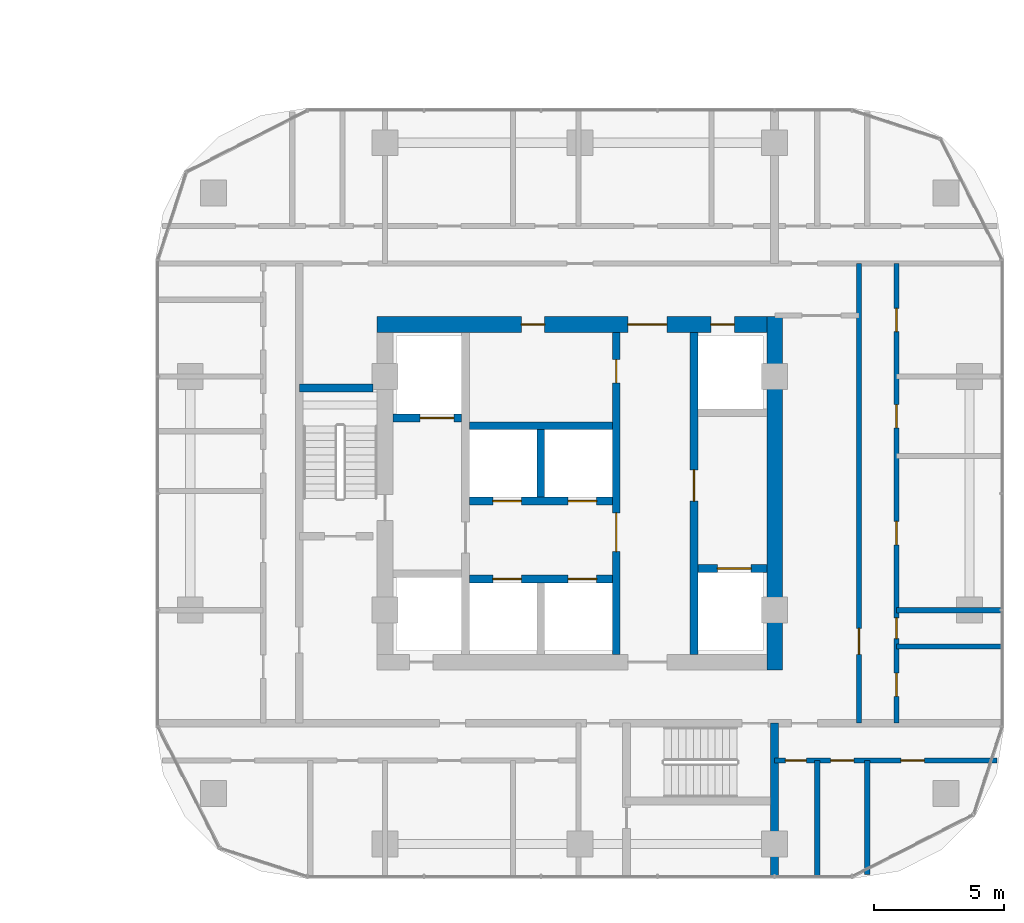
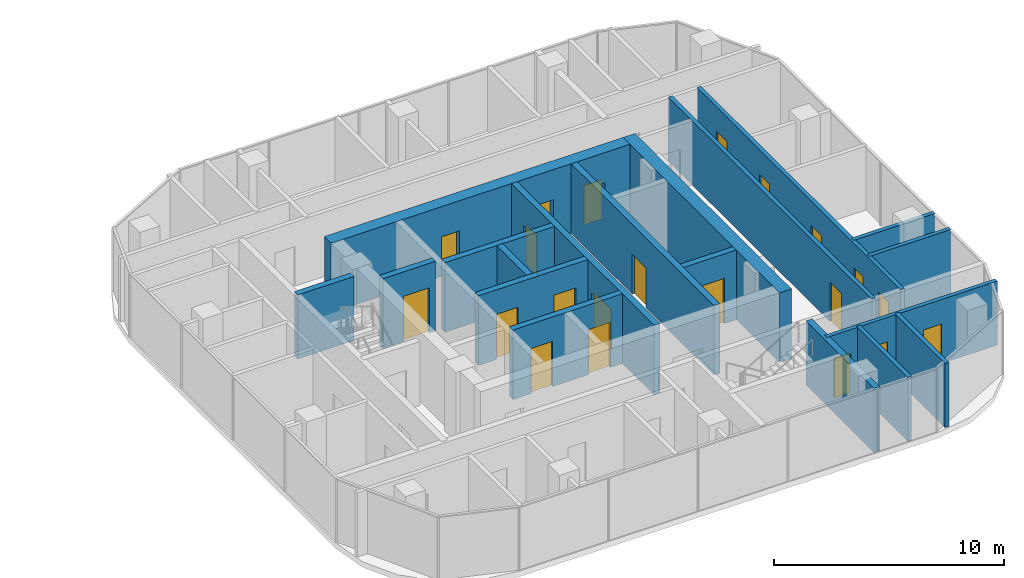
# One storey, part 25 of 36: 21 doors, 19 walls, 21 openings.
"""IFC4 building model written with IfcOpenShell, lengths in metres."""

import ifcopenshell
import ifcopenshell.guid

model = None  # the IFC model being written
_history = None  # IfcOwnerHistory: only IFC2X3 demands one
_inside = {}  # id of a spatial element -> (the spatial element, [elements in it])
_under = {}  # id of a project, library or spatial element -> (it, [spatial elements below it])
_declared = {}  # id of a project -> (the project, [libraries it declares])
_typed = {}  # id of a type object -> (the type object, [elements of that type])
_made_of = {}  # id of a material, layer set ... -> (it, [elements and type objects made of it])


def new_model(schema):
    """Start an empty IFC model of exactly this schema.

    Asked for "IFC4X3", IfcOpenShell would pick the latest addendum, in which some entities
    have other attributes; the version numbers below select the first issue.
    IFC2X3 requires an IfcOwnerHistory on every rooted entity: one is made here for all.
    """
    global model, _history
    if schema == "IFC4X3":
        model = ifcopenshell.file(schema_version=(4, 3, 0, 0))
    else:
        model = ifcopenshell.file(schema=schema)
    _inside.clear()
    _under.clear()
    _declared.clear()
    _typed.clear()
    _made_of.clear()
    _history = None
    if model.schema == "IFC2X3":
        org = make("IfcOrganization", Name="unknown")
        user = make(
            "IfcPersonAndOrganization",
            ThePerson=make("IfcPerson", FamilyName="unknown"),
            TheOrganization=org,
        )
        app = make(
            "IfcApplication",
            ApplicationDeveloper=org,
            Version="unknown",
            ApplicationFullName="unknown",
            ApplicationIdentifier="unknown",
        )
        _history = make(
            "IfcOwnerHistory",
            OwningUser=user,
            OwningApplication=app,
            ChangeAction="ADDED",
            CreationDate=0,
        )
    return model


def make(cls, **values):
    """One entity of the class cls with the attributes given. An attribute that is None is left unset."""
    return model.create_entity(
        cls, **{name: value for name, value in values.items() if value is not None}
    )


def rooted(cls, **values):
    """An entity with a GlobalId (a new one), such as an element, a storey or a relation."""
    return make(cls, GlobalId=ifcopenshell.guid.new(), OwnerHistory=_history, **values)


def si_unit(unit_type, name, prefix=None):
    """IfcSIUnit, for example si_unit("LENGTHUNIT", "METRE", prefix="MILLI")."""
    return make("IfcSIUnit", UnitType=unit_type, Prefix=prefix, Name=name)


def assignment(units):
    """IfcUnitAssignment: the units of a project."""
    return None if units is None else make("IfcUnitAssignment", Units=units)


def point(xyz):
    """IfcCartesianPoint."""
    return None if xyz is None else make("IfcCartesianPoint", Coordinates=xyz)


def direction(xyz):
    """IfcDirection."""
    return None if xyz is None else make("IfcDirection", DirectionRatios=xyz)


def frame(location, z_axis=None, x_axis=None):
    """IfcAxis2Placement3D, a coordinate frame: its origin and axes. An axis left out is left unset."""
    return make(
        "IfcAxis2Placement3D",
        Location=point(location),
        Axis=direction(z_axis),
        RefDirection=direction(x_axis),
    )


def frame_2d(location, x_axis=None):
    """IfcAxis2Placement2D, a coordinate frame in the plane: its origin and x axis."""
    return make(
        "IfcAxis2Placement2D", Location=point(location), RefDirection=direction(x_axis)
    )


def origin():
    """The frame at (0, 0, 0) with its axes left unset."""
    return frame((0.0, 0.0, 0.0))


def place(relative_to, where):
    """IfcLocalPlacement: puts the frame where relative to a parent placement (None: the world)."""
    return make(
        "IfcLocalPlacement", PlacementRelTo=relative_to, RelativePlacement=where
    )


def context(
    kind, dimensions, precision=None, world=None, true_north=None, identifier=None
):
    """IfcGeometricRepresentationContext, for example the 3D "Model" context."""
    return make(
        "IfcGeometricRepresentationContext",
        ContextIdentifier=identifier,
        ContextType=kind,
        CoordinateSpaceDimension=dimensions,
        Precision=precision,
        WorldCoordinateSystem=world,
        TrueNorth=true_north,
    )


def subcontext(parent, identifier, kind, view, scale=None):
    """IfcGeometricRepresentationSubContext, for example "Body" below "Model"."""
    return make(
        "IfcGeometricRepresentationSubContext",
        ContextIdentifier=identifier,
        ContextType=kind,
        ParentContext=parent,
        TargetScale=scale,
        TargetView=view,
    )


def project(units=None, contexts=None):
    """IfcProject with its units and contexts."""
    return rooted(
        "IfcProject",
        Name="project",
        RepresentationContexts=contexts,
        UnitsInContext=assignment(units),
    )


def spatial(cls, under=None, at=None, **own):
    """A site, building, storey or space (cls), placed at a placement, below another one or the project."""
    s = rooted(cls, ObjectPlacement=at, **own)
    if under is not None:
        _under.setdefault(under.id(), (under, []))[1].append(s)
    return s


def profile(cls, at=None, kind="AREA", **sizes):
    """A parametric profile (cls). Its sizes go by their IFC names, for example OverallWidth=200.0."""
    return make(cls, ProfileType=kind, Position=at, **sizes)


def rectangle(**sizes):
    """IfcRectangleProfileDef."""
    return profile("IfcRectangleProfileDef", **sizes)


def extrude(swept, where, along, depth):
    """IfcExtrudedAreaSolid: the profile swept, set in the frame where, extruded along a direction by depth."""
    return make(
        "IfcExtrudedAreaSolid",
        SweptArea=swept,
        Position=where,
        ExtrudedDirection=direction(along),
        Depth=depth,
    )


def shape(context_of_items, identifier, shape_type, items):
    """IfcShapeRepresentation: the items that make up one representation, for example the "Body"."""
    return make(
        "IfcShapeRepresentation",
        ContextOfItems=context_of_items,
        RepresentationIdentifier=identifier,
        RepresentationType=shape_type,
        Items=items,
    )


def material(Name=None, Category=None):
    """IfcMaterial."""
    return make("IfcMaterial", Name=Name, Category=Category)


def layer(
    of_material, thickness, ventilated=None, Name=None, Category=None, Priority=None
):
    """IfcMaterialLayer: one layer of a wall or slab, of a material (None: an air gap)."""
    return make(
        "IfcMaterialLayer",
        Material=of_material,
        LayerThickness=thickness,
        IsVentilated=ventilated,
        Name=Name,
        Category=Category,
        Priority=Priority,
    )


def layer_set(layers, Name=None):
    """IfcMaterialLayerSet."""
    return make("IfcMaterialLayerSet", MaterialLayers=layers, LayerSetName=Name)


def made_of(thing, what):
    """Note that an element or type object is made of a material, layer set ...; save() writes the relation."""
    if what is not None:
        _made_of.setdefault(what.id(), (what, []))[1].append(thing)
    return thing


def type_object(cls, material=None, **own):
    """A type object (cls), such as IfcWallType, which elements share."""
    return made_of(rooted(cls, **own), material)


def element(
    cls,
    number,
    at=None,
    inside=None,
    cuts=None,
    type_object=None,
    material=None,
    context=None,
    identifier="Body",
    shape_type=None,
    held_by="IfcProductDefinitionShape",
    body=None,
    shapes=None,
    **own,
):
    """One element of the class cls, such as IfcWall. Its Tag is "e" and its number.

    at: its placement. inside: the storey or other place that contains it. cuts: it is an
    opening in that element (IfcRelVoidsElement). A single representation is given by context,
    identifier, shape_type and body (its items); several are given by shapes. held_by: the class
    of the entity that holds the representations. save() writes the other relations.
    """
    e = rooted(cls, Tag="e%d" % number, ObjectPlacement=at, **own)
    if body is not None:
        shapes = [shape(context, identifier, shape_type, body)]
    if shapes is not None:
        e.Representation = make(held_by, Representations=shapes)
    if inside is not None:
        _inside.setdefault(inside.id(), (inside, []))[1].append(e)
    if cuts is not None:
        rooted(
            "IfcRelVoidsElement", RelatingBuildingElement=cuts, RelatedOpeningElement=e
        )
    if type_object is not None:
        _typed.setdefault(type_object.id(), (type_object, []))[1].append(e)
    return made_of(e, material)


def fill(opening, filler):
    """IfcRelFillsElement: the door or window that sits in an opening."""
    return rooted(
        "IfcRelFillsElement",
        RelatingOpeningElement=opening,
        RelatedBuildingElement=filler,
    )


def aggregate(whole, parts):
    """IfcRelAggregates: a whole, such as a stair, and the parts it consists of."""
    return rooted("IfcRelAggregates", RelatingObject=whole, RelatedObjects=parts)


def save(model, path):
    """Write the relations noted so far, then the file.

    IfcRelAggregates (storeys below a building ...), IfcRelContainedInSpatialStructure (elements
    in a storey), IfcRelDefinesByType, IfcRelAssociatesMaterial and IfcRelDeclares: one each for
    every whole, place, type object, material and project.
    """
    for whole, parts in _under.values():
        aggregate(whole, parts)
    for where, things in _inside.values():
        rooted(
            "IfcRelContainedInSpatialStructure",
            RelatedElements=things,
            RelatingStructure=where,
        )
    for kind, things in _typed.values():
        rooted("IfcRelDefinesByType", RelatedObjects=things, RelatingType=kind)
    for what, things in _made_of.values():
        rooted("IfcRelAssociatesMaterial", RelatedObjects=things, RelatingMaterial=what)
    for by, libraries in _declared.values():
        rooted("IfcRelDeclares", RelatingContext=by, RelatedDefinitions=libraries)
    model.write(path)


model = new_model("IFC4")

# Units and contexts
model_context = context("Model", 3, precision=1e-05, world=origin(), true_north=direction((0.0, 1.0)))
body_context = subcontext(model_context, "Body", "Model", "MODEL_VIEW")
ifc_project = project(units=[si_unit("LENGTHUNIT", "METRE"), si_unit("AREAUNIT", "SQUARE_METRE"), si_unit("VOLUMEUNIT", "CUBIC_METRE"), si_unit("PLANEANGLEUNIT", "RADIAN"), si_unit("MASSUNIT", "GRAM", prefix="KILO")], contexts=[model_context])

# Site, building, storey
site_placement = place(None, origin())
site = spatial("IfcSite", under=ifc_project, at=site_placement, CompositionType="ELEMENT")
building_placement = place(site_placement, origin())
building = spatial("IfcBuilding", under=site, at=building_placement, Name="Ogive Portal Towers", CompositionType="ELEMENT")
storey_placement = place(building_placement, frame((0.0, 0.0, 48.300048828125)))
storey = spatial("IfcBuildingStorey", under=building, at=storey_placement, Name="L10", CompositionType="ELEMENT", Elevation=48.300048828125)

# Wall, openings, doors
ifc_material_1 = material(Name="Concrete C60/75", Category="concrete")
ifc_layer_1 = layer(ifc_material_1, 0.300048828125)
ifc_layer_set_1 = layer_set([ifc_layer_1], Name="CORE WALL 300 C60")
wall_type_1 = type_object("IfcWallType", Name="CORE WALL 300 C60", PredefinedType="SHEAR", material=ifc_layer_set_1)
wall_1_placement = place(storey_placement, frame((137.89990234375, 24.800048828125, 0.0), z_axis=(0.0, 0.0, 1.0), x_axis=(0.0, 1.0, 0.0)))
wall_1 = element("IfcWall", 1, at=wall_1_placement, inside=storey, type_object=wall_type_1, Name="Tower B core wall BX2 L10", PredefinedType="SHEAR", context=body_context, shape_type="SweptSolid", body=[
    extrude(rectangle(XDim=12.39990234375, YDim=0.300048828125, at=frame_2d((6.199951171875, 0.0))), origin(), (0.0, 0.0, 1.0), 3.699951171875),
])
opening_1_placement = place(wall_1_placement, frame((3.949951171875, 0.0, 0.0)))
opening_1 = element("IfcOpeningElement", 2, at=opening_1_placement, cuts=wall_1, Name="Opening B02-041", PredefinedType="OPENING", context=body_context, shape_type="SweptSolid", body=[
    extrude(rectangle(XDim=1.5, YDim=2.10009765625, at=frame_2d((0.75, 1.050048828125))), frame((0.0, 0.16015625, 0.0), z_axis=(0.0, -1.0, 0.0), x_axis=(1.0, 0.0, 0.0)), (0.0, 0.0, 1.0), 0.320068359375),
])
opening_2_placement = place(wall_1_placement, frame((10.449951171875, 0.0, 0.0)))
opening_2 = element("IfcOpeningElement", 3, at=opening_2_placement, cuts=wall_1, Name="Opening B02-056", PredefinedType="OPENING", context=body_context, shape_type="SweptSolid", body=[
    extrude(rectangle(XDim=0.89990234375, YDim=2.10009765625, at=frame_2d((0.449951171875, 1.050048828125))), frame((0.0, 0.16015625, 0.0), z_axis=(0.0, -1.0, 0.0), x_axis=(1.0, 0.0, 0.0)), (0.0, 0.0, 1.0), 0.320068359375),
])
ifc_material_2 = material(Name="Steel fire door", Category="steel")
door_type_1 = type_object("IfcDoorType", Name="DT-SWING-1500x2100-FD90S", OperationType="SINGLE_SWING_LEFT", PredefinedType="DOOR", material=ifc_material_2)
door_1_placement = place(opening_1_placement, origin())
door_1 = element("IfcDoor", 4, at=door_1_placement, inside=storey, type_object=door_type_1, Name="Door B02-041", OperationType="SINGLE_SWING_RIGHT", OverallHeight=2.10009765625, OverallWidth=1.5, PredefinedType="DOOR", context=body_context, shape_type="SweptSolid", body=[
    extrude(rectangle(XDim=1.5, YDim=2.10009765625, at=frame_2d((0.75, 1.050048828125))), frame((0.0, 0.02490234375, 0.0), z_axis=(0.0, -1.0, 0.0), x_axis=(1.0, 0.0, 0.0)), (0.0, 0.0, 1.0), 0.050048828125),
])
fill(opening_1, door_1)
door_type_2 = type_object("IfcDoorType", Name="DT-SWING-900x2100-FD90S", OperationType="SINGLE_SWING_LEFT", PredefinedType="DOOR", material=ifc_material_2)
door_2_placement = place(opening_2_placement, origin())
door_2 = element("IfcDoor", 5, at=door_2_placement, inside=storey, type_object=door_type_2, Name="Door B02-056", OperationType="SINGLE_SWING_RIGHT", OverallHeight=2.10009765625, OverallWidth=0.89990234375, PredefinedType="DOOR", context=body_context, shape_type="SweptSolid", body=[
    extrude(rectangle(XDim=0.89990234375, YDim=2.10009765625, at=frame_2d((0.449951171875, 1.050048828125))), frame((0.0, 0.02490234375, 0.0), z_axis=(0.0, -1.0, 0.0), x_axis=(1.0, 0.0, 0.0)), (0.0, 0.0, 1.0), 0.050048828125),
])
fill(opening_2, door_2)

# Wall, opening, door
wall_2_placement = place(storey_placement, frame((140.89990234375, 24.800048828125, 0.0), z_axis=(0.0, 0.0, 1.0), x_axis=(0.0, 1.0, 0.0)))
wall_2 = element("IfcWall", 6, at=wall_2_placement, inside=storey, type_object=wall_type_1, Name="Tower B core wall BX3 L10", PredefinedType="SHEAR", context=body_context, shape_type="SweptSolid", body=[
    extrude(rectangle(XDim=12.39990234375, YDim=0.300048828125, at=frame_2d((6.199951171875, 0.0))), origin(), (0.0, 0.0, 1.0), 3.699951171875),
])
opening_3_placement = place(wall_2_placement, frame((5.89990234375, 0.0, 0.0)))
opening_3 = element("IfcOpeningElement", 7, at=opening_3_placement, cuts=wall_2, Name="Opening B02-043", PredefinedType="OPENING", context=body_context, shape_type="SweptSolid", body=[
    extrude(rectangle(XDim=1.199951171875, YDim=2.10009765625, at=frame_2d((0.60009765625, 1.050048828125))), frame((0.0, 0.16015625, 0.0), z_axis=(0.0, -1.0, 0.0), x_axis=(1.0, 0.0, 0.0)), (0.0, 0.0, 1.0), 0.320068359375),
])
door_type_3 = type_object("IfcDoorType", Name="DT-SWING-1200x2100-FD90S", OperationType="SINGLE_SWING_LEFT", PredefinedType="DOOR", material=ifc_material_2)
door_3_placement = place(opening_3_placement, origin())
door_3 = element("IfcDoor", 8, at=door_3_placement, inside=storey, type_object=door_type_3, Name="Door B02-043", OperationType="SINGLE_SWING_RIGHT", OverallHeight=2.10009765625, OverallWidth=1.199951171875, PredefinedType="DOOR", context=body_context, shape_type="SweptSolid", body=[
    extrude(rectangle(XDim=1.199951171875, YDim=2.10009765625, at=frame_2d((0.60009765625, 1.050048828125))), frame((0.0, 0.02490234375, 0.0), z_axis=(0.0, -1.0, 0.0), x_axis=(1.0, 0.0, 0.0)), (0.0, 0.0, 1.0), 0.050048828125),
])
fill(opening_3, door_3)

# Wall
wall_3_placement = place(storey_placement, frame((135.0, 30.85009765625, 0.0), z_axis=(0.0, 0.0, 1.0), x_axis=(0.0, 1.0, 0.0)))
element("IfcWall", 9, at=wall_3_placement, inside=storey, type_object=wall_type_1, Name="Tower B core wall BX5 L10", PredefinedType="SHEAR", context=body_context, shape_type="SweptSolid", body=[
    extrude(rectangle(XDim=2.599853515625, YDim=0.300048828125, at=frame_2d((1.2998046875, 0.0))), origin(), (0.0, 0.0, 1.0), 3.699951171875),
])

# Wall, openings, doors
wall_4_placement = place(storey_placement, frame((132.25, 27.699951171875, 0.0), z_axis=(0.0, 0.0, 1.0), x_axis=(1.0, 0.0, 0.0)))
wall_4 = element("IfcWall", 10, at=wall_4_placement, inside=storey, type_object=wall_type_1, Name="Tower B core wall BY1 L10", PredefinedType="SHEAR", context=body_context, shape_type="SweptSolid", body=[
    extrude(rectangle(XDim=5.5, YDim=0.300048828125, at=frame_2d((2.75, 0.0))), origin(), (0.0, 0.0, 1.0), 3.699951171875),
])
opening_4_placement = place(wall_4_placement, frame((0.89990234375, 0.0, 0.0)))
opening_4 = element("IfcOpeningElement", 11, at=opening_4_placement, cuts=wall_4, Name="Opening B02-049", PredefinedType="OPENING", context=body_context, shape_type="SweptSolid", body=[
    extrude(rectangle(XDim=1.10009765625, YDim=2.39990234375, at=frame_2d((0.550048828125, 1.199951171875))), frame((0.0, 0.16015625, 0.0), z_axis=(0.0, -1.0, 0.0), x_axis=(1.0, 0.0, 0.0)), (0.0, 0.0, 1.0), 0.320068359375),
])
opening_5_placement = place(wall_4_placement, frame((3.800048828125, 0.0, 0.0)))
opening_5 = element("IfcOpeningElement", 12, at=opening_5_placement, cuts=wall_4, Name="Opening B02-050", PredefinedType="OPENING", context=body_context, shape_type="SweptSolid", body=[
    extrude(rectangle(XDim=1.10009765625, YDim=2.39990234375, at=frame_2d((0.550048828125, 1.199951171875))), frame((0.0, 0.16015625, 0.0), z_axis=(0.0, -1.0, 0.0), x_axis=(1.0, 0.0, 0.0)), (0.0, 0.0, 1.0), 0.320068359375),
])
ifc_material_3 = material(Name="Stainless steel", Category="steel")
door_type_4 = type_object("IfcDoorType", Name="DT-LD-1100x2400", OperationType="SLIDING_TO_LEFT", PredefinedType="DOOR", material=ifc_material_3)
door_4_placement = place(opening_4_placement, origin())
door_4 = element("IfcDoor", 13, at=door_4_placement, inside=storey, type_object=door_type_4, Name="Door B02-049", OperationType="SLIDING_TO_LEFT", OverallHeight=2.39990234375, OverallWidth=1.10009765625, PredefinedType="DOOR", context=body_context, shape_type="SweptSolid", body=[
    extrude(rectangle(XDim=1.10009765625, YDim=2.39990234375, at=frame_2d((0.550048828125, 1.199951171875))), frame((0.0, 0.02490234375, 0.0), z_axis=(0.0, -1.0, 0.0), x_axis=(1.0, 0.0, 0.0)), (0.0, 0.0, 1.0), 0.050048828125),
])
fill(opening_4, door_4)
door_5_placement = place(opening_5_placement, origin())
door_5 = element("IfcDoor", 14, at=door_5_placement, inside=storey, type_object=door_type_4, Name="Door B02-050", OperationType="SLIDING_TO_LEFT", OverallHeight=2.39990234375, OverallWidth=1.10009765625, PredefinedType="DOOR", context=body_context, shape_type="SweptSolid", body=[
    extrude(rectangle(XDim=1.10009765625, YDim=2.39990234375, at=frame_2d((0.550048828125, 1.199951171875))), frame((0.0, 0.02490234375, 0.0), z_axis=(0.0, -1.0, 0.0), x_axis=(1.0, 0.0, 0.0)), (0.0, 0.0, 1.0), 0.050048828125),
])
fill(opening_5, door_5)

wall_5_placement = place(storey_placement, frame((132.25, 30.699951171875, 0.0), z_axis=(0.0, 0.0, 1.0), x_axis=(1.0, 0.0, 0.0)))
wall_5 = element("IfcWall", 15, at=wall_5_placement, inside=storey, type_object=wall_type_1, Name="Tower B core wall BY2 L10", PredefinedType="SHEAR", context=body_context, shape_type="SweptSolid", body=[
    extrude(rectangle(XDim=5.5, YDim=0.300048828125, at=frame_2d((2.75, 0.0))), origin(), (0.0, 0.0, 1.0), 3.699951171875),
])
opening_6_placement = place(wall_5_placement, frame((0.89990234375, 0.0, 0.0)))
opening_6 = element("IfcOpeningElement", 16, at=opening_6_placement, cuts=wall_5, Name="Opening B02-051", PredefinedType="OPENING", context=body_context, shape_type="SweptSolid", body=[
    extrude(rectangle(XDim=1.10009765625, YDim=2.39990234375, at=frame_2d((0.550048828125, 1.199951171875))), frame((0.0, 0.16015625, 0.0), z_axis=(0.0, -1.0, 0.0), x_axis=(1.0, 0.0, 0.0)), (0.0, 0.0, 1.0), 0.320068359375),
])
opening_7_placement = place(wall_5_placement, frame((3.800048828125, 0.0, 0.0)))
opening_7 = element("IfcOpeningElement", 17, at=opening_7_placement, cuts=wall_5, Name="Opening B02-052", PredefinedType="OPENING", context=body_context, shape_type="SweptSolid", body=[
    extrude(rectangle(XDim=1.10009765625, YDim=2.39990234375, at=frame_2d((0.550048828125, 1.199951171875))), frame((0.0, 0.16015625, 0.0), z_axis=(0.0, -1.0, 0.0), x_axis=(1.0, 0.0, 0.0)), (0.0, 0.0, 1.0), 0.320068359375),
])
door_6_placement = place(opening_6_placement, origin())
door_6 = element("IfcDoor", 18, at=door_6_placement, inside=storey, type_object=door_type_4, Name="Door B02-051", OperationType="SLIDING_TO_LEFT", OverallHeight=2.39990234375, OverallWidth=1.10009765625, PredefinedType="DOOR", context=body_context, shape_type="SweptSolid", body=[
    extrude(rectangle(XDim=1.10009765625, YDim=2.39990234375, at=frame_2d((0.550048828125, 1.199951171875))), frame((0.0, 0.02490234375, 0.0), z_axis=(0.0, -1.0, 0.0), x_axis=(1.0, 0.0, 0.0)), (0.0, 0.0, 1.0), 0.050048828125),
])
fill(opening_6, door_6)
door_7_placement = place(opening_7_placement, origin())
door_7 = element("IfcDoor", 19, at=door_7_placement, inside=storey, type_object=door_type_4, Name="Door B02-052", OperationType="SLIDING_TO_LEFT", OverallHeight=2.39990234375, OverallWidth=1.10009765625, PredefinedType="DOOR", context=body_context, shape_type="SweptSolid", body=[
    extrude(rectangle(XDim=1.10009765625, YDim=2.39990234375, at=frame_2d((0.550048828125, 1.199951171875))), frame((0.0, 0.02490234375, 0.0), z_axis=(0.0, -1.0, 0.0), x_axis=(1.0, 0.0, 0.0)), (0.0, 0.0, 1.0), 0.050048828125),
])
fill(opening_7, door_7)

# Wall
wall_6_placement = place(storey_placement, frame((132.25, 33.60009765625, 0.0), z_axis=(0.0, 0.0, 1.0), x_axis=(1.0, 0.0, 0.0)))
element("IfcWall", 20, at=wall_6_placement, inside=storey, type_object=wall_type_1, Name="Tower B core wall BY3 L10", PredefinedType="SHEAR", context=body_context, shape_type="SweptSolid", body=[
    extrude(rectangle(XDim=5.5, YDim=0.300048828125, at=frame_2d((2.75, 0.0))), origin(), (0.0, 0.0, 1.0), 3.699951171875),
])

# Wall, opening, door
wall_7_placement = place(storey_placement, frame((129.300048828125, 33.89990234375, 0.0), z_axis=(0.0, 0.0, 1.0), x_axis=(1.0, 0.0, 0.0)))
wall_7 = element("IfcWall", 21, at=wall_7_placement, inside=storey, type_object=wall_type_1, Name="Tower B core wall BY5 L10", PredefinedType="SHEAR", context=body_context, shape_type="SweptSolid", body=[
    extrude(rectangle(XDim=2.64990234375, YDim=0.300048828125, at=frame_2d((1.324951171875, 0.0))), origin(), (0.0, 0.0, 1.0), 3.699951171875),
])
opening_8_placement = place(wall_7_placement, frame((1.050048828125, 0.0, 0.0)))
opening_8 = element("IfcOpeningElement", 22, at=opening_8_placement, cuts=wall_7, Name="Opening B02-053", PredefinedType="OPENING", context=body_context, shape_type="SweptSolid", body=[
    extrude(rectangle(XDim=1.300048828125, YDim=2.39990234375, at=frame_2d((0.64990234375, 1.199951171875))), frame((0.0, 0.16015625, 0.0), z_axis=(0.0, -1.0, 0.0), x_axis=(1.0, 0.0, 0.0)), (0.0, 0.0, 1.0), 0.320068359375),
])
door_type_5 = type_object("IfcDoorType", Name="DT-LD-1300x2400", OperationType="SLIDING_TO_LEFT", PredefinedType="DOOR", material=ifc_material_3)
door_8_placement = place(opening_8_placement, origin())
door_8 = element("IfcDoor", 23, at=door_8_placement, inside=storey, type_object=door_type_5, Name="Door B02-053", OperationType="SLIDING_TO_LEFT", OverallHeight=2.39990234375, OverallWidth=1.300048828125, PredefinedType="DOOR", context=body_context, shape_type="SweptSolid", body=[
    extrude(rectangle(XDim=1.300048828125, YDim=2.39990234375, at=frame_2d((0.64990234375, 1.199951171875))), frame((0.0, 0.02490234375, 0.0), z_axis=(0.0, -1.0, 0.0), x_axis=(1.0, 0.0, 0.0)), (0.0, 0.0, 1.0), 0.050048828125),
])
fill(opening_8, door_8)

wall_8_placement = place(storey_placement, frame((141.050048828125, 28.10009765625, 0.0), z_axis=(0.0, 0.0, 1.0), x_axis=(1.0, 0.0, 0.0)))
wall_8 = element("IfcWall", 24, at=wall_8_placement, inside=storey, type_object=wall_type_1, Name="Tower B core wall BY6 L10", PredefinedType="SHEAR", context=body_context, shape_type="SweptSolid", body=[
    extrude(rectangle(XDim=2.64990234375, YDim=0.300048828125, at=frame_2d((1.324951171875, 0.0))), origin(), (0.0, 0.0, 1.0), 3.699951171875),
])
opening_9_placement = place(wall_8_placement, frame((0.75, 0.0, 0.0)))
opening_9 = element("IfcOpeningElement", 25, at=opening_9_placement, cuts=wall_8, Name="Opening B02-054", PredefinedType="OPENING", context=body_context, shape_type="SweptSolid", body=[
    extrude(rectangle(XDim=1.300048828125, YDim=2.39990234375, at=frame_2d((0.64990234375, 1.199951171875))), frame((0.0, 0.16015625, 0.0), z_axis=(0.0, -1.0, 0.0), x_axis=(1.0, 0.0, 0.0)), (0.0, 0.0, 1.0), 0.320068359375),
])
door_9_placement = place(opening_9_placement, origin())
door_9 = element("IfcDoor", 26, at=door_9_placement, inside=storey, type_object=door_type_5, Name="Door B02-054", OperationType="SLIDING_TO_LEFT", OverallHeight=2.39990234375, OverallWidth=1.300048828125, PredefinedType="DOOR", context=body_context, shape_type="SweptSolid", body=[
    extrude(rectangle(XDim=1.300048828125, YDim=2.39990234375, at=frame_2d((0.64990234375, 1.199951171875))), frame((0.0, 0.02490234375, 0.0), z_axis=(0.0, -1.0, 0.0), x_axis=(1.0, 0.0, 0.0)), (0.0, 0.0, 1.0), 0.050048828125),
])
fill(opening_9, door_9)

# Wall
ifc_layer_2 = layer(ifc_material_1, 0.60009765625)
ifc_layer_set_2 = layer_set([ifc_layer_2], Name="CORE WALL 600 C60")
wall_type_2 = type_object("IfcWallType", Name="CORE WALL 600 C60", PredefinedType="SHEAR", material=ifc_layer_set_2)
wall_9_placement = place(storey_placement, frame((144.0, 24.199951171875, 0.0), z_axis=(0.0, 0.0, 1.0), x_axis=(0.0, 1.0, 0.0)))
element("IfcWall", 27, at=wall_9_placement, inside=storey, type_object=wall_type_2, Name="Tower B core wall BE L10", PredefinedType="SHEAR", context=body_context, shape_type="SweptSolid", body=[
    extrude(rectangle(XDim=13.60009765625, YDim=0.60009765625, at=frame_2d((6.800048828125, 0.0))), origin(), (0.0, 0.0, 1.0), 3.699951171875),
])

# Wall, openings, doors
wall_10_placement = place(storey_placement, frame((128.699951171875, 37.5, 0.0), z_axis=(0.0, 0.0, 1.0), x_axis=(1.0, 0.0, 0.0)))
wall_10 = element("IfcWall", 28, at=wall_10_placement, inside=storey, type_object=wall_type_2, Name="Tower B core wall BN L10", PredefinedType="SHEAR", context=body_context, shape_type="SweptSolid", body=[
    extrude(rectangle(XDim=15.0, YDim=0.60009765625, at=frame_2d((7.5, 0.0))), origin(), (0.0, 0.0, 1.0), 3.699951171875),
])
opening_10_placement = place(wall_10_placement, frame((9.64990234375, 0.0, 0.0)))
opening_10 = element("IfcOpeningElement", 29, at=opening_10_placement, cuts=wall_10, Name="Opening B02-046", PredefinedType="OPENING", context=body_context, shape_type="SweptSolid", body=[
    extrude(rectangle(XDim=1.5, YDim=2.10009765625, at=frame_2d((0.75, 1.050048828125))), frame((0.0, 0.31005859375, 0.0), z_axis=(0.0, -1.0, 0.0), x_axis=(1.0, 0.0, 0.0)), (0.0, 0.0, 1.0), 0.6201171875),
])
opening_11_placement = place(wall_10_placement, frame((12.85009765625, 0.0, 0.0)))
opening_11 = element("IfcOpeningElement", 30, at=opening_11_placement, cuts=wall_10, Name="Opening B02-048", PredefinedType="OPENING", context=body_context, shape_type="SweptSolid", body=[
    extrude(rectangle(XDim=0.89990234375, YDim=2.10009765625, at=frame_2d((0.449951171875, 1.050048828125))), frame((0.0, 0.31005859375, 0.0), z_axis=(0.0, -1.0, 0.0), x_axis=(1.0, 0.0, 0.0)), (0.0, 0.0, 1.0), 0.6201171875),
])
opening_12_placement = place(wall_10_placement, frame((5.550048828125, 0.0, 0.0)))
opening_12 = element("IfcOpeningElement", 31, at=opening_12_placement, cuts=wall_10, Name="Opening B02-055", PredefinedType="OPENING", context=body_context, shape_type="SweptSolid", body=[
    extrude(rectangle(XDim=0.89990234375, YDim=2.10009765625, at=frame_2d((0.449951171875, 1.050048828125))), frame((0.0, 0.31005859375, 0.0), z_axis=(0.0, -1.0, 0.0), x_axis=(1.0, 0.0, 0.0)), (0.0, 0.0, 1.0), 0.6201171875),
])
door_10_placement = place(opening_10_placement, origin())
door_10 = element("IfcDoor", 32, at=door_10_placement, inside=storey, type_object=door_type_1, Name="Door B02-046", OperationType="SINGLE_SWING_RIGHT", OverallHeight=2.10009765625, OverallWidth=1.5, PredefinedType="DOOR", context=body_context, shape_type="SweptSolid", body=[
    extrude(rectangle(XDim=1.5, YDim=2.10009765625, at=frame_2d((0.75, 1.050048828125))), frame((0.0, 0.02490234375, 0.0), z_axis=(0.0, -1.0, 0.0), x_axis=(1.0, 0.0, 0.0)), (0.0, 0.0, 1.0), 0.050048828125),
])
fill(opening_10, door_10)
door_11_placement = place(opening_11_placement, origin())
door_11 = element("IfcDoor", 33, at=door_11_placement, inside=storey, type_object=door_type_2, Name="Riser access door B02-048", OperationType="SINGLE_SWING_RIGHT", OverallHeight=2.10009765625, OverallWidth=0.89990234375, PredefinedType="DOOR", context=body_context, shape_type="SweptSolid", body=[
    extrude(rectangle(XDim=0.89990234375, YDim=2.10009765625, at=frame_2d((0.449951171875, 1.050048828125))), frame((0.0, 0.02490234375, 0.0), z_axis=(0.0, -1.0, 0.0), x_axis=(1.0, 0.0, 0.0)), (0.0, 0.0, 1.0), 0.050048828125),
])
fill(opening_11, door_11)
door_12_placement = place(opening_12_placement, origin())
door_12 = element("IfcDoor", 34, at=door_12_placement, inside=storey, type_object=door_type_2, Name="Door B02-055", OperationType="SINGLE_SWING_LEFT", OverallHeight=2.10009765625, OverallWidth=0.89990234375, PredefinedType="DOOR", context=body_context, shape_type="SweptSolid", body=[
    extrude(rectangle(XDim=0.89990234375, YDim=2.10009765625, at=frame_2d((0.449951171875, 1.050048828125))), frame((0.0, 0.02490234375, 0.0), z_axis=(0.0, -1.0, 0.0), x_axis=(1.0, 0.0, 0.0)), (0.0, 0.0, 1.0), 0.050048828125),
])
fill(opening_12, door_12)

# Walls
ifc_material_4 = material(Name="Concrete C50/60", Category="concrete")
ifc_layer_3 = layer(ifc_material_4, 0.300048828125)
ifc_layer_set_3 = layer_set([ifc_layer_3], Name="STAIR WALL 300 C50")
wall_type_3 = type_object("IfcWallType", Name="STAIR WALL 300 C50", PredefinedType="SHEAR", material=ifc_layer_set_3)
wall_11_placement = place(storey_placement, frame((125.699951171875, 35.050048828125, 0.0), z_axis=(0.0, 0.0, 1.0), x_axis=(1.0, 0.0, 0.0)))
element("IfcWall", 35, at=wall_11_placement, inside=storey, type_object=wall_type_3, Name="Stair wall ST-B1 L10", PredefinedType="SHEAR", context=body_context, shape_type="SweptSolid", body=[
    extrude(rectangle(XDim=2.830078125, YDim=0.300048828125, at=frame_2d((1.4150390625, 0.0))), origin(), (0.0, 0.0, 1.0), 3.39990234375),
])
wall_12_placement = place(storey_placement, frame((144.0, 16.235107421875, 0.0), z_axis=(0.0, 0.0, 1.0), x_axis=(0.0, 1.0, 0.0)))
element("IfcWall", 36, at=wall_12_placement, inside=storey, type_object=wall_type_3, Name="Stair wall ST-B2 L10", PredefinedType="SHEAR", context=body_context, shape_type="SweptSolid", body=[
    extrude(rectangle(XDim=5.914794921875, YDim=0.300048828125, at=frame_2d((2.95751953125, 0.0))), origin(), (0.0, 0.0, 1.0), 3.39990234375),
])

# Wall, openings, doors
ifc_material_5 = material(Name="Gypsum board partition on steel studs", Category="steel")
ifc_layer_4 = layer(ifc_material_5, 0.199951171875)
ifc_layer_set_4 = layer_set([ifc_layer_4], Name="WT-PART-200-EI 60")
wall_type_4 = type_object("IfcWallType", Name="WT-PART-200-EI 60", PredefinedType="PARTITIONING", material=ifc_layer_set_4)
wall_13_placement = place(storey_placement, frame((144.0, 20.7099609375, 0.0), z_axis=(0.0, 0.0, 1.0), x_axis=(1.0, 0.0, 0.0)))
wall_13 = element("IfcWall", 37, at=wall_13_placement, inside=storey, type_object=wall_type_4, Name="Wall L10:w003", PredefinedType="PARTITIONING", context=body_context, shape_type="SweptSolid", body=[
    extrude(rectangle(XDim=8.56005859375, YDim=0.199951171875, at=frame_2d((4.280029296875, 0.0))), origin(), (0.0, 0.0, 1.0), 3.39990234375),
])
opening_13_placement = place(wall_13_placement, frame((0.4208984375, 0.0, 0.0)))
opening_13 = element("IfcOpeningElement", 38, at=opening_13_placement, cuts=wall_13, Name="Opening B02-023", PredefinedType="OPENING", context=body_context, shape_type="SweptSolid", body=[
    extrude(rectangle(XDim=0.800048828125, YDim=2.10009765625, at=frame_2d((0.39990234375, 1.050048828125))), frame((0.0, 0.10986328125, 0.0), z_axis=(0.0, -1.0, 0.0), x_axis=(1.0, 0.0, 0.0)), (0.0, 0.0, 1.0), 0.219970703125),
])
opening_14_placement = place(wall_13_placement, frame((2.156005859375, 0.0, 0.0)))
opening_14 = element("IfcOpeningElement", 39, at=opening_14_placement, cuts=wall_13, Name="Opening B02-024", PredefinedType="OPENING", context=body_context, shape_type="SweptSolid", body=[
    extrude(rectangle(XDim=0.89990234375, YDim=2.10009765625, at=frame_2d((0.449951171875, 1.050048828125))), frame((0.0, 0.10986328125, 0.0), z_axis=(0.0, -1.0, 0.0), x_axis=(1.0, 0.0, 0.0)), (0.0, 0.0, 1.0), 0.219970703125),
])
opening_15_placement = place(wall_13_placement, frame((4.866943359375, 0.0, 0.0)))
opening_15 = element("IfcOpeningElement", 40, at=opening_15_placement, cuts=wall_13, Name="Opening B02-025", PredefinedType="OPENING", context=body_context, shape_type="SweptSolid", body=[
    extrude(rectangle(XDim=0.89990234375, YDim=2.10009765625, at=frame_2d((0.449951171875, 1.050048828125))), frame((0.0, 0.10986328125, 0.0), z_axis=(0.0, -1.0, 0.0), x_axis=(1.0, 0.0, 0.0)), (0.0, 0.0, 1.0), 0.219970703125),
])
door_type_6 = type_object("IfcDoorType", Name="DT-SWING-800x2100-FD60S", OperationType="SINGLE_SWING_LEFT", PredefinedType="DOOR", material=ifc_material_2)
door_13_placement = place(opening_13_placement, origin())
door_13 = element("IfcDoor", 41, at=door_13_placement, inside=storey, type_object=door_type_6, Name="Door B02-023", OperationType="SINGLE_SWING_LEFT", OverallHeight=2.10009765625, OverallWidth=0.800048828125, PredefinedType="DOOR", context=body_context, shape_type="SweptSolid", body=[
    extrude(rectangle(XDim=0.800048828125, YDim=2.10009765625, at=frame_2d((0.39990234375, 1.050048828125))), frame((0.0, 0.02490234375, 0.0), z_axis=(0.0, -1.0, 0.0), x_axis=(1.0, 0.0, 0.0)), (0.0, 0.0, 1.0), 0.050048828125),
])
fill(opening_13, door_13)
door_type_7 = type_object("IfcDoorType", Name="DT-SWING-900x2100-FD60S", OperationType="SINGLE_SWING_LEFT", PredefinedType="DOOR", material=ifc_material_2)
door_14_placement = place(opening_14_placement, origin())
door_14 = element("IfcDoor", 42, at=door_14_placement, inside=storey, type_object=door_type_7, Name="Door B02-024", OperationType="SINGLE_SWING_RIGHT", OverallHeight=2.10009765625, OverallWidth=0.89990234375, PredefinedType="DOOR", context=body_context, shape_type="SweptSolid", body=[
    extrude(rectangle(XDim=0.89990234375, YDim=2.10009765625, at=frame_2d((0.449951171875, 1.050048828125))), frame((0.0, 0.02490234375, 0.0), z_axis=(0.0, -1.0, 0.0), x_axis=(1.0, 0.0, 0.0)), (0.0, 0.0, 1.0), 0.050048828125),
])
fill(opening_14, door_14)
door_15_placement = place(opening_15_placement, origin())
door_15 = element("IfcDoor", 43, at=door_15_placement, inside=storey, type_object=door_type_7, Name="Door B02-025", OperationType="SINGLE_SWING_LEFT", OverallHeight=2.10009765625, OverallWidth=0.89990234375, PredefinedType="DOOR", context=body_context, shape_type="SweptSolid", body=[
    extrude(rectangle(XDim=0.89990234375, YDim=2.10009765625, at=frame_2d((0.449951171875, 1.050048828125))), frame((0.0, 0.02490234375, 0.0), z_axis=(0.0, -1.0, 0.0), x_axis=(1.0, 0.0, 0.0)), (0.0, 0.0, 1.0), 0.050048828125),
])
fill(opening_15, door_15)

# Walls
for number, where, z_axis, x_axis, name in (
    (44, (148.68994140625, 25.10595703125, 0.0), (0.0, 0.0, 1.0), (1.0, 0.0, 0.0), "Wall L10:w007"),
    (45, (148.68994140625, 26.5, 0.0), (0.0, 0.0, 1.0), (1.0, 0.0, 0.0), "Wall L10:w009"),
):
    element("IfcWall", number, at=place(storey_placement, frame(where, z_axis=z_axis, x_axis=x_axis)), inside=storey, type_object=wall_type_4, Name=name, PredefinedType="PARTITIONING", context=body_context, shape_type="SweptSolid", body=[
        extrude(rectangle(XDim=4.074951171875, YDim=0.199951171875, at=frame_2d((2.03759765625, 0.0))), origin(), (0.0, 0.0, 1.0), 3.39990234375),
    ])
wall_14_placement = place(storey_placement, frame((145.64111328125, 16.235107421875, 0.0), z_axis=(0.0, 0.0, 1.0), x_axis=(0.0, 1.0, 0.0)))
element("IfcWall", 46, at=wall_14_placement, inside=storey, type_object=wall_type_4, Name="Wall L10:w041", PredefinedType="PARTITIONING", context=body_context, shape_type="SweptSolid", body=[
    extrude(rectangle(XDim=4.474853515625, YDim=0.199951171875, at=frame_2d((2.2373046875, 0.0))), origin(), (0.0, 0.0, 1.0), 3.39990234375),
])

# Wall, opening, door
wall_15_placement = place(storey_placement, frame((147.25, 22.14990234375, 0.0), z_axis=(0.0, 0.0, 1.0), x_axis=(0.0, 1.0, 0.0)))
wall_15 = element("IfcWall", 47, at=wall_15_placement, inside=storey, type_object=wall_type_4, Name="Wall L10:w043", PredefinedType="PARTITIONING", context=body_context, shape_type="SweptSolid", body=[
    extrude(rectangle(XDim=17.7001953125, YDim=0.199951171875, at=frame_2d((8.85009765625, 0.0))), origin(), (0.0, 0.0, 1.0), 3.39990234375),
])
opening_16_placement = place(wall_15_placement, frame((2.64990234375, 0.0, 0.0)))
opening_16 = element("IfcOpeningElement", 48, at=opening_16_placement, cuts=wall_15, Name="Opening B02-035", PredefinedType="OPENING", context=body_context, shape_type="SweptSolid", body=[
    extrude(rectangle(XDim=1.0, YDim=2.10009765625, at=frame_2d((0.5, 1.050048828125))), frame((0.0, 0.10986328125, 0.0), z_axis=(0.0, -1.0, 0.0), x_axis=(1.0, 0.0, 0.0)), (0.0, 0.0, 1.0), 0.219970703125),
])
door_type_8 = type_object("IfcDoorType", Name="DT-SWING-1000x2100-FD60S", OperationType="SINGLE_SWING_LEFT", PredefinedType="DOOR", material=ifc_material_2)
door_16_placement = place(opening_16_placement, origin())
door_16 = element("IfcDoor", 49, at=door_16_placement, inside=storey, type_object=door_type_8, Name="Door B02-035", OperationType="SINGLE_SWING_LEFT", OverallHeight=2.10009765625, OverallWidth=1.0, PredefinedType="DOOR", context=body_context, shape_type="SweptSolid", body=[
    extrude(rectangle(XDim=1.0, YDim=2.10009765625, at=frame_2d((0.5, 1.050048828125))), frame((0.0, 0.02490234375, 0.0), z_axis=(0.0, -1.0, 0.0), x_axis=(1.0, 0.0, 0.0)), (0.0, 0.0, 1.0), 0.050048828125),
])
fill(opening_16, door_16)

# Wall
wall_16_placement = place(storey_placement, frame((147.571044921875, 16.325927734375, 0.0), z_axis=(0.0, 0.0, 1.0), x_axis=(0.0, 1.0, 0.0)))
element("IfcWall", 50, at=wall_16_placement, inside=storey, type_object=wall_type_4, Name="Wall L10:w044", PredefinedType="PARTITIONING", context=body_context, shape_type="SweptSolid", body=[
    extrude(rectangle(XDim=4.384033203125, YDim=0.199951171875, at=frame_2d((2.19189453125, 0.0))), origin(), (0.0, 0.0, 1.0), 3.39990234375),
])

# Wall, openings, doors
wall_17_placement = place(storey_placement, frame((148.68994140625, 22.14990234375, 0.0), z_axis=(0.0, 0.0, 1.0), x_axis=(0.0, 1.0, 0.0)))
wall_17 = element("IfcWall", 51, at=wall_17_placement, inside=storey, type_object=wall_type_4, Name="Wall L10:w046", PredefinedType="PARTITIONING", context=body_context, shape_type="SweptSolid", body=[
    extrude(rectangle(XDim=17.7001953125, YDim=0.199951171875, at=frame_2d((8.85009765625, 0.0))), origin(), (0.0, 0.0, 1.0), 3.39990234375),
])
opening_17_placement = place(wall_17_placement, frame((1.028076171875, 0.0, 0.0)))
opening_17 = element("IfcOpeningElement", 52, at=opening_17_placement, cuts=wall_17, Name="Opening B02-036", PredefinedType="OPENING", context=body_context, shape_type="SweptSolid", body=[
    extrude(rectangle(XDim=0.89990234375, YDim=2.10009765625, at=frame_2d((0.449951171875, 1.050048828125))), frame((0.0, 0.10986328125, 0.0), z_axis=(0.0, -1.0, 0.0), x_axis=(1.0, 0.0, 0.0)), (0.0, 0.0, 1.0), 0.219970703125),
])
opening_18_placement = place(wall_17_placement, frame((3.2529296875, 0.0, 0.0)))
opening_18 = element("IfcOpeningElement", 53, at=opening_18_placement, cuts=wall_17, Name="Opening B02-037", PredefinedType="OPENING", context=body_context, shape_type="SweptSolid", body=[
    extrude(rectangle(XDim=0.800048828125, YDim=2.10009765625, at=frame_2d((0.39990234375, 1.050048828125))), frame((0.0, 0.10986328125, 0.0), z_axis=(0.0, -1.0, 0.0), x_axis=(1.0, 0.0, 0.0)), (0.0, 0.0, 1.0), 0.219970703125),
])
opening_19_placement = place(wall_17_placement, frame((6.866943359375, 0.0, 0.0)))
opening_19 = element("IfcOpeningElement", 54, at=opening_19_placement, cuts=wall_17, Name="Opening B02-038", PredefinedType="OPENING", context=body_context, shape_type="SweptSolid", body=[
    extrude(rectangle(XDim=0.89990234375, YDim=2.10009765625, at=frame_2d((0.449951171875, 1.050048828125))), frame((0.0, 0.10986328125, 0.0), z_axis=(0.0, -1.0, 0.0), x_axis=(1.0, 0.0, 0.0)), (0.0, 0.0, 1.0), 0.219970703125),
])
opening_20_placement = place(wall_17_placement, frame((11.366943359375, 0.0, 0.0)))
opening_20 = element("IfcOpeningElement", 55, at=opening_20_placement, cuts=wall_17, Name="Opening B02-039", PredefinedType="OPENING", context=body_context, shape_type="SweptSolid", body=[
    extrude(rectangle(XDim=0.89990234375, YDim=2.10009765625, at=frame_2d((0.449951171875, 1.050048828125))), frame((0.0, 0.10986328125, 0.0), z_axis=(0.0, -1.0, 0.0), x_axis=(1.0, 0.0, 0.0)), (0.0, 0.0, 1.0), 0.219970703125),
])
opening_21_placement = place(wall_17_placement, frame((15.074951171875, 0.0, 0.0)))
opening_21 = element("IfcOpeningElement", 56, at=opening_21_placement, cuts=wall_17, Name="Opening B02-040", PredefinedType="OPENING", context=body_context, shape_type="SweptSolid", body=[
    extrude(rectangle(XDim=0.89990234375, YDim=2.10009765625, at=frame_2d((0.449951171875, 1.050048828125))), frame((0.0, 0.10986328125, 0.0), z_axis=(0.0, -1.0, 0.0), x_axis=(1.0, 0.0, 0.0)), (0.0, 0.0, 1.0), 0.219970703125),
])
door_17_placement = place(opening_18_placement, origin())
door_17 = element("IfcDoor", 57, at=door_17_placement, inside=storey, type_object=door_type_6, Name="Door B02-037", OperationType="SINGLE_SWING_LEFT", OverallHeight=2.10009765625, OverallWidth=0.800048828125, PredefinedType="DOOR", context=body_context, shape_type="SweptSolid", body=[
    extrude(rectangle(XDim=0.800048828125, YDim=2.10009765625, at=frame_2d((0.39990234375, 1.050048828125))), frame((0.0, 0.02490234375, 0.0), z_axis=(0.0, -1.0, 0.0), x_axis=(1.0, 0.0, 0.0)), (0.0, 0.0, 1.0), 0.050048828125),
])
fill(opening_18, door_17)
door_18_placement = place(opening_17_placement, origin())
door_18 = element("IfcDoor", 58, at=door_18_placement, inside=storey, type_object=door_type_7, Name="Door B02-036", OperationType="SINGLE_SWING_RIGHT", OverallHeight=2.10009765625, OverallWidth=0.89990234375, PredefinedType="DOOR", context=body_context, shape_type="SweptSolid", body=[
    extrude(rectangle(XDim=0.89990234375, YDim=2.10009765625, at=frame_2d((0.449951171875, 1.050048828125))), frame((0.0, 0.02490234375, 0.0), z_axis=(0.0, -1.0, 0.0), x_axis=(1.0, 0.0, 0.0)), (0.0, 0.0, 1.0), 0.050048828125),
])
fill(opening_17, door_18)
door_19_placement = place(opening_19_placement, origin())
door_19 = element("IfcDoor", 59, at=door_19_placement, inside=storey, type_object=door_type_7, Name="Door B02-038", OperationType="SINGLE_SWING_RIGHT", OverallHeight=2.10009765625, OverallWidth=0.89990234375, PredefinedType="DOOR", context=body_context, shape_type="SweptSolid", body=[
    extrude(rectangle(XDim=0.89990234375, YDim=2.10009765625, at=frame_2d((0.449951171875, 1.050048828125))), frame((0.0, 0.02490234375, 0.0), z_axis=(0.0, -1.0, 0.0), x_axis=(1.0, 0.0, 0.0)), (0.0, 0.0, 1.0), 0.050048828125),
])
fill(opening_19, door_19)
door_20_placement = place(opening_20_placement, origin())
door_20 = element("IfcDoor", 60, at=door_20_placement, inside=storey, type_object=door_type_7, Name="Door B02-039", OperationType="SINGLE_SWING_LEFT", OverallHeight=2.10009765625, OverallWidth=0.89990234375, PredefinedType="DOOR", context=body_context, shape_type="SweptSolid", body=[
    extrude(rectangle(XDim=0.89990234375, YDim=2.10009765625, at=frame_2d((0.449951171875, 1.050048828125))), frame((0.0, 0.02490234375, 0.0), z_axis=(0.0, -1.0, 0.0), x_axis=(1.0, 0.0, 0.0)), (0.0, 0.0, 1.0), 0.050048828125),
])
fill(opening_20, door_20)
door_21_placement = place(opening_21_placement, origin())
door_21 = element("IfcDoor", 61, at=door_21_placement, inside=storey, type_object=door_type_7, Name="Door B02-040", OperationType="SINGLE_SWING_RIGHT", OverallHeight=2.10009765625, OverallWidth=0.89990234375, PredefinedType="DOOR", context=body_context, shape_type="SweptSolid", body=[
    extrude(rectangle(XDim=0.89990234375, YDim=2.10009765625, at=frame_2d((0.449951171875, 1.050048828125))), frame((0.0, 0.02490234375, 0.0), z_axis=(0.0, -1.0, 0.0), x_axis=(1.0, 0.0, 0.0)), (0.0, 0.0, 1.0), 0.050048828125),
])
fill(opening_21, door_21)

save(model, "model.ifc")
